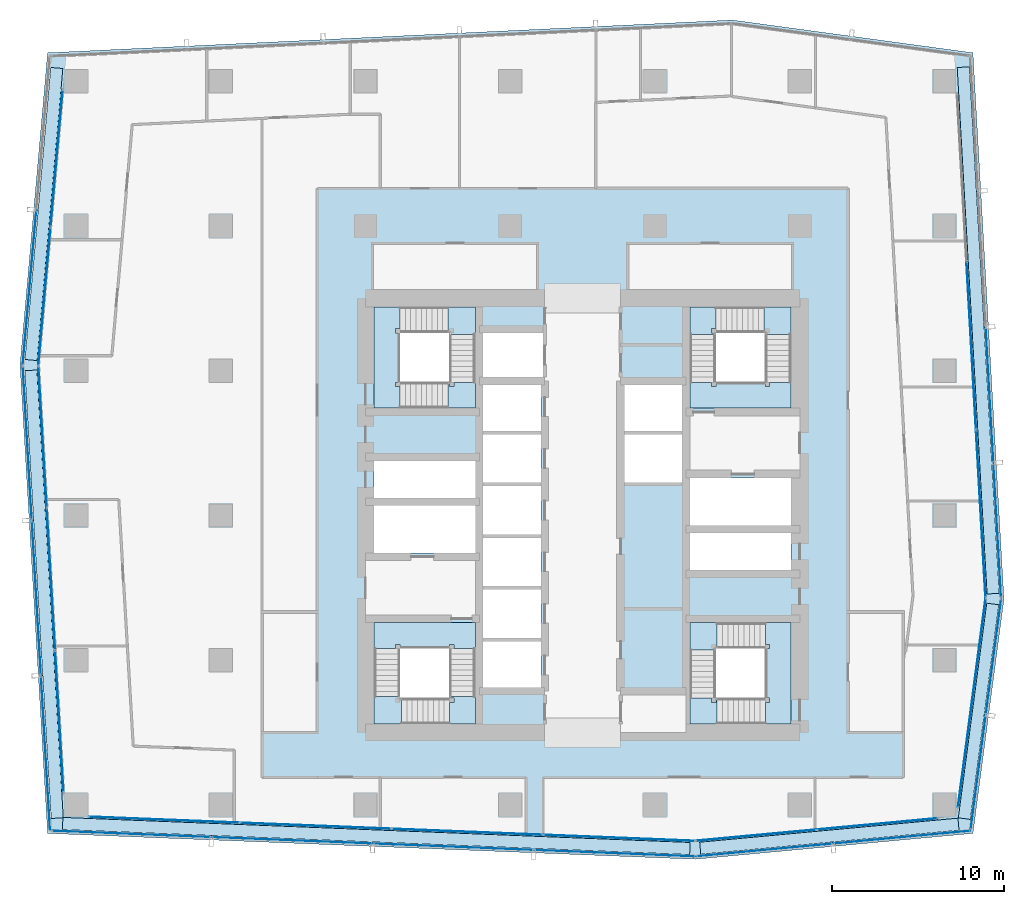
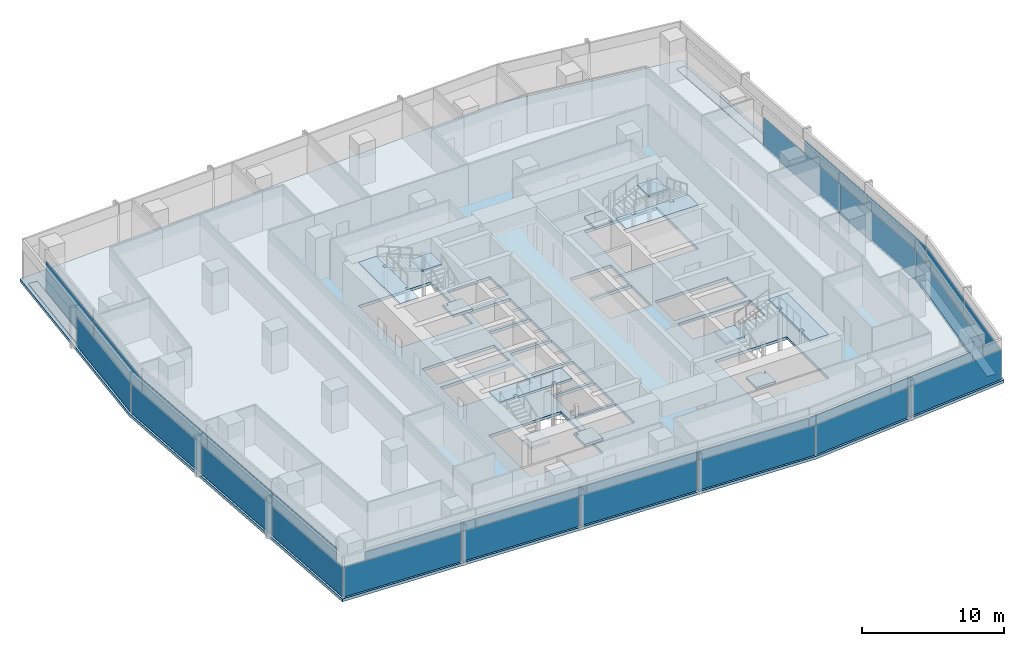
# One storey, part 26 of 38: 34 plates, 13 slabs, 16 elements without a shape of their own.
"""IFC4 building model written with IfcOpenShell, lengths in metres."""

from ifc_helpers import new_model, si_unit, direction, frame, origin, origin_2d, place, context, subcontext, project, spatial, polyline, rectangle, outline, extrude, material, layer, layer_set, type_object, element, aggregate, save


model = new_model("IFC4")

# Units and contexts
model_context = context("Model", 3, precision=1e-05, world=origin(), true_north=direction((0.0, 1.0)))
body_context = subcontext(model_context, "Body", "Model", "MODEL_VIEW")
ifc_project = project(units=[si_unit("LENGTHUNIT", "METRE"), si_unit("AREAUNIT", "SQUARE_METRE"), si_unit("VOLUMEUNIT", "CUBIC_METRE"), si_unit("PLANEANGLEUNIT", "RADIAN"), si_unit("MASSUNIT", "GRAM", prefix="KILO")], contexts=[model_context])

# Site, building, storey
site_placement = place(None, origin())
site = spatial("IfcSite", under=ifc_project, at=site_placement, CompositionType="ELEMENT")
building_placement = place(site_placement, origin())
building = spatial("IfcBuilding", under=site, at=building_placement, Name="Rekha Terrace Tower", CompositionType="ELEMENT")
storey_placement = place(building_placement, frame((0.0, 0.0, 202.699951171875)))
storey = spatial("IfcBuildingStorey", under=building, at=storey_placement, Name="L51", CompositionType="ELEMENT", Elevation=202.699951171875)

# Curtain wall, plates
ifc_material_1 = material(Name="Aluminium framing", Category="aluminium")
curtain_wall_type_1 = type_object("IfcCurtainWallType", Name="CW1 double skin inner glazing", PredefinedType="USERDEFINED", material=ifc_material_1)
curtain_wall_1_placement = place(storey_placement, origin())
curtain_wall_1 = element("IfcCurtainWall", 1, at=curtain_wall_1_placement, inside=storey, type_object=curtain_wall_type_1, Name="CW1 double skin inner glazing", ObjectType="DOUBLE SKIN INNER GLAZING", PredefinedType="USERDEFINED")
ifc_material_2 = material(Name="Double-glazed low-e unit 32", Category="glass")
ifc_layer_1 = layer(ifc_material_2, 0.031982421875)
ifc_layer_set_1 = layer_set([ifc_layer_1], Name="Double-glazed low-e unit 32")
plate_type_1 = type_object("IfcPlateType", Name="CW1 jumbo vision panel, double-glazed low-e unit 32", PredefinedType="CURTAIN_PANEL", material=ifc_layer_set_1)
plate_1_placement = place(storey_placement, frame((13.51318359375, 15.94091796875, 0.0), z_axis=(0.0, 0.0, 1.0), x_axis=(0.999204775798, -0.039872497061, 0.0)))
plate_1 = element("IfcPlate", 2, at=plate_1_placement, type_object=plate_type_1, Name="CW1 panel 1.1", PredefinedType="CURTAIN_PANEL", context=body_context, shape_type="SweptSolid", body=[
    extrude(rectangle(XDim=8.7138671875, YDim=0.031982421875, at=origin_2d()), origin(), (0.0, 0.0, 1.0), 2.60009765625),
])
plate_2_placement = place(storey_placement, frame((22.301025390625, 15.59033203125, 0.0), z_axis=(0.0, 0.0, 1.0), x_axis=(0.999204775798, -0.039872497061, 0.0)))
plate_2 = element("IfcPlate", 3, at=plate_2_placement, type_object=plate_type_1, Name="CW1 panel 2.1", PredefinedType="CURTAIN_PANEL", context=body_context, shape_type="SweptSolid", body=[
    extrude(rectangle(XDim=8.746337890625, YDim=0.031982421875, at=origin_2d()), origin(), (0.0, 0.0, 1.0), 2.60009765625),
])
plate_3_placement = place(storey_placement, frame((31.10546875, 15.239013671875, 0.0), z_axis=(0.0, 0.0, 1.0), x_axis=(0.999204775798, -0.039872497061, 0.0)))
plate_3 = element("IfcPlate", 4, at=plate_3_placement, type_object=plate_type_1, Name="CW1 panel 3.1", PredefinedType="CURTAIN_PANEL", context=body_context, shape_type="SweptSolid", body=[
    extrude(rectangle(XDim=8.746337890625, YDim=0.031982421875, at=origin_2d()), origin(), (0.0, 0.0, 1.0), 2.60009765625),
])
plate_4_placement = place(storey_placement, frame((39.926025390625, 14.886962890625, 0.0), z_axis=(0.0, 0.0, 1.0), x_axis=(0.999204775798, -0.039872497061, 0.0)))
plate_4 = element("IfcPlate", 5, at=plate_4_placement, type_object=plate_type_1, Name="CW1 panel 4.1", PredefinedType="CURTAIN_PANEL", context=body_context, shape_type="SweptSolid", body=[
    extrude(rectangle(XDim=8.77880859375, YDim=0.031982421875, at=origin_2d()), origin(), (0.0, 0.0, 1.0), 2.60009765625),
])
aggregate(curtain_wall_1, [plate_1, plate_2, plate_3, plate_4])

curtain_wall_2_placement = place(storey_placement, origin())
curtain_wall_2 = element("IfcCurtainWall", 6, at=curtain_wall_2_placement, inside=storey, type_object=curtain_wall_type_1, Name="CW1 double skin inner glazing", ObjectType="DOUBLE SKIN INNER GLAZING", PredefinedType="USERDEFINED")
plate_5_placement = place(storey_placement, frame((47.863037109375, 15.042724609375, 0.0), z_axis=(0.0, 0.0, 1.0), x_axis=(0.995693258742, 0.092708869564, 0.0)))
plate_5 = element("IfcPlate", 7, at=plate_5_placement, type_object=plate_type_1, Name="CW1 panel 1.1", PredefinedType="CURTAIN_PANEL", context=body_context, shape_type="SweptSolid", body=[
    extrude(rectangle(XDim=7.003173828125, YDim=0.031982421875, at=origin_2d()), origin(), (0.0, 0.0, 1.0), 2.60009765625),
])
plate_6_placement = place(storey_placement, frame((54.90087890625, 15.697998046875, 0.0), z_axis=(0.0, 0.0, 1.0), x_axis=(0.995693258742, 0.092708869564, 0.0)))
plate_6 = element("IfcPlate", 8, at=plate_6_placement, type_object=plate_type_1, Name="CW1 panel 2.1", PredefinedType="CURTAIN_PANEL", context=body_context, shape_type="SweptSolid", body=[
    extrude(rectangle(XDim=7.003173828125, YDim=0.031982421875, at=origin_2d()), origin(), (0.0, 0.0, 1.0), 2.60009765625),
])
aggregate(curtain_wall_2, [plate_5, plate_6])

# Curtain wall, plate
curtain_wall_3_placement = place(storey_placement, origin())
curtain_wall_3 = element("IfcCurtainWall", 9, at=curtain_wall_3_placement, inside=storey, type_object=curtain_wall_type_1, Name="CW1 double skin inner glazing", ObjectType="DOUBLE SKIN INNER GLAZING", PredefinedType="USERDEFINED")
plate_7_placement = place(storey_placement, frame((60.38330078125, 22.718505859375, 0.0), z_axis=(0.0, 0.0, 1.0), x_axis=(0.131303603093, 0.991342203185, 0.0)))
plate_7 = element("IfcPlate", 10, at=plate_7_placement, type_object=plate_type_1, Name="CW1 panel 1.1", PredefinedType="CURTAIN_PANEL", context=body_context, shape_type="SweptSolid", body=[
    extrude(rectangle(XDim=12.228759765625, YDim=0.031982421875, at=origin_2d()), origin(), (0.0, 0.0, 1.0), 2.60009765625),
])
aggregate(curtain_wall_3, [plate_7])

# Curtain wall, plates
curtain_wall_4_placement = place(storey_placement, origin())
curtain_wall_4 = element("IfcCurtainWall", 11, at=curtain_wall_4_placement, inside=storey, type_object=curtain_wall_type_1, Name="CW1 double skin inner glazing", ObjectType="DOUBLE SKIN INNER GLAZING", PredefinedType="USERDEFINED")
plate_8_placement = place(storey_placement, frame((60.90771484375, 33.68408203125, 0.0), z_axis=(0.0, 0.0, 1.0), x_axis=(-0.05667319486, 0.998392782919, 0.0)))
plate_8 = element("IfcPlate", 12, at=plate_8_placement, type_object=plate_type_1, Name="CW1 panel 1.1", PredefinedType="CURTAIN_PANEL", context=body_context, shape_type="SweptSolid", body=[
    extrude(rectangle(XDim=9.694091796875, YDim=0.031982421875, at=origin_2d()), origin(), (0.0, 0.0, 1.0), 2.60009765625),
])
plate_9_placement = place(storey_placement, frame((60.353759765625, 43.44384765625, 0.0), z_axis=(0.0, 0.0, 1.0), x_axis=(-0.05667319486, 0.998392782919, 0.0)))
plate_9 = element("IfcPlate", 13, at=plate_9_placement, type_object=plate_type_1, Name="CW1 panel 2.1", PredefinedType="CURTAIN_PANEL", context=body_context, shape_type="SweptSolid", body=[
    extrude(rectangle(XDim=9.7265625, YDim=0.031982421875, at=origin_2d()), origin(), (0.0, 0.0, 1.0), 2.60009765625),
])
aggregate(curtain_wall_4, [plate_8, plate_9])

curtain_wall_5_placement = place(storey_placement, origin())
curtain_wall_5 = element("IfcCurtainWall", 14, at=curtain_wall_5_placement, inside=storey, type_object=curtain_wall_type_1, Name="CW1 double skin inner glazing", ObjectType="DOUBLE SKIN INNER GLAZING", PredefinedType="USERDEFINED")
plate_10_placement = place(storey_placement, frame((7.273193359375, 54.32421875, 0.0), z_axis=(0.0, 0.0, 1.0), x_axis=(-0.087957985523, -0.996124185422, 0.0)))
plate_10 = element("IfcPlate", 15, at=plate_10_placement, type_object=plate_type_1, Name="CW1 panel 1.1", PredefinedType="CURTAIN_PANEL", context=body_context, shape_type="SweptSolid", body=[
    extrude(rectangle(XDim=7.950927734375, YDim=0.031982421875, at=origin_2d()), origin(), (0.0, 0.0, 1.0), 2.60009765625),
])
plate_11_placement = place(storey_placement, frame((6.565185546875, 46.306884765625, 0.0), z_axis=(0.0, 0.0, 1.0), x_axis=(-0.087957985523, -0.996124185422, 0.0)))
plate_11 = element("IfcPlate", 16, at=plate_11_placement, type_object=plate_type_1, Name="CW1 panel 2.1", PredefinedType="CURTAIN_PANEL", context=body_context, shape_type="SweptSolid", body=[
    extrude(rectangle(XDim=8.01611328125, YDim=0.031982421875, at=origin_2d()), origin(), (0.0, 0.0, 1.0), 2.60009765625),
])
aggregate(curtain_wall_5, [plate_10, plate_11])

curtain_wall_6_placement = place(storey_placement, origin())
curtain_wall_6 = element("IfcCurtainWall", 17, at=curtain_wall_6_placement, inside=storey, type_object=curtain_wall_type_1, Name="CW1 double skin inner glazing", ObjectType="DOUBLE SKIN INNER GLAZING", PredefinedType="USERDEFINED")
plate_12_placement = place(storey_placement, frame((6.457275390625, 38.1611328125, 0.0), z_axis=(0.0, 0.0, 1.0), x_axis=(0.058765082516, -0.998271839269, 0.0)))
plate_12 = element("IfcPlate", 18, at=plate_12_placement, type_object=plate_type_1, Name="CW1 panel 1.1", PredefinedType="CURTAIN_PANEL", context=body_context, shape_type="SweptSolid", body=[
    extrude(rectangle(XDim=8.19091796875, YDim=0.031982421875, at=origin_2d()), origin(), (0.0, 0.0, 1.0), 2.60009765625),
])
plate_13_placement = place(storey_placement, frame((6.943359375, 29.9033203125, 0.0), z_axis=(0.0, 0.0, 1.0), x_axis=(0.058765082516, -0.998271839269, 0.0)))
plate_13 = element("IfcPlate", 19, at=plate_13_placement, type_object=plate_type_1, Name="CW1 panel 2.1", PredefinedType="CURTAIN_PANEL", context=body_context, shape_type="SweptSolid", body=[
    extrude(rectangle(XDim=8.223388671875, YDim=0.031982421875, at=origin_2d()), origin(), (0.0, 0.0, 1.0), 2.60009765625),
])
plate_14_placement = place(storey_placement, frame((7.429443359375, 21.645263671875, 0.0), z_axis=(0.0, 0.0, 1.0), x_axis=(0.058765082516, -0.998271839269, 0.0)))
plate_14 = element("IfcPlate", 20, at=plate_14_placement, type_object=plate_type_1, Name="CW1 panel 3.1", PredefinedType="CURTAIN_PANEL", context=body_context, shape_type="SweptSolid", body=[
    extrude(rectangle(XDim=8.19091796875, YDim=0.031982421875, at=origin_2d()), origin(), (0.0, 0.0, 1.0), 2.60009765625),
])
aggregate(curtain_wall_6, [plate_12, plate_13, plate_14])

curtain_wall_type_2 = type_object("IfcCurtainWallType", Name="CW2 double skin outer glazing", PredefinedType="USERDEFINED", material=ifc_material_1)
curtain_wall_7_placement = place(storey_placement, origin())
curtain_wall_7 = element("IfcCurtainWall", 21, at=curtain_wall_7_placement, inside=storey, type_object=curtain_wall_type_2, Name="CW2 double skin outer glazing", ObjectType="DOUBLE SKIN OUTER GLAZING", PredefinedType="USERDEFINED")
ifc_material_3 = material(Name="Toughened single glazing 12", Category="glass")
ifc_layer_2 = layer(ifc_material_3, 0.011962890625)
ifc_layer_set_2 = layer_set([ifc_layer_2], Name="Toughened single glazing 12")
plate_type_2 = type_object("IfcPlateType", Name="CW2 jumbo vision panel, toughened single glazing 12", PredefinedType="CURTAIN_PANEL", material=ifc_layer_set_2)
plate_15_placement = place(storey_placement, frame((11.6005859375, 15.116455078125, 0.0), z_axis=(0.0, 0.0, 1.0), x_axis=(0.999204775799, -0.039872497044, 0.0)))
plate_15 = element("IfcPlate", 22, at=plate_15_placement, type_object=plate_type_2, Name="CW2 panel 1.1", PredefinedType="CURTAIN_PANEL", context=body_context, shape_type="SweptSolid", body=[
    extrude(rectangle(XDim=9.24609375, YDim=0.011962890625, at=origin_2d()), origin(), (0.0, 0.0, 1.0), 2.60009765625),
])
plate_16_placement = place(storey_placement, frame((20.939208984375, 14.743896484375, 0.0), z_axis=(0.0, 0.0, 1.0), x_axis=(0.999204775799, -0.039872497044, 0.0)))
plate_16 = element("IfcPlate", 23, at=plate_16_placement, type_object=plate_type_2, Name="CW2 panel 2.1", PredefinedType="CURTAIN_PANEL", context=body_context, shape_type="SweptSolid", body=[
    extrude(rectangle(XDim=9.2861328125, YDim=0.011962890625, at=origin_2d()), origin(), (0.0, 0.0, 1.0), 2.60009765625),
])
plate_17_placement = place(storey_placement, frame((30.2978515625, 14.370361328125, 0.0), z_axis=(0.0, 0.0, 1.0), x_axis=(0.999204775799, -0.039872497044, 0.0)))
plate_17 = element("IfcPlate", 24, at=plate_17_placement, type_object=plate_type_2, Name="CW2 panel 3.1", PredefinedType="CURTAIN_PANEL", context=body_context, shape_type="SweptSolid", body=[
    extrude(rectangle(XDim=9.2861328125, YDim=0.011962890625, at=origin_2d()), origin(), (0.0, 0.0, 1.0), 2.60009765625),
])
plate_18_placement = place(storey_placement, frame((39.676513671875, 13.996337890625, 0.0), z_axis=(0.0, 0.0, 1.0), x_axis=(0.999204775799, -0.039872497044, 0.0)))
plate_18 = element("IfcPlate", 25, at=plate_18_placement, type_object=plate_type_2, Name="CW2 panel 4.1", PredefinedType="CURTAIN_PANEL", context=body_context, shape_type="SweptSolid", body=[
    extrude(rectangle(XDim=9.326171875, YDim=0.011962890625, at=origin_2d()), origin(), (0.0, 0.0, 1.0), 2.60009765625),
])
aggregate(curtain_wall_7, [plate_15, plate_16, plate_17, plate_18])

curtain_wall_8_placement = place(storey_placement, origin())
curtain_wall_8 = element("IfcCurtainWall", 26, at=curtain_wall_8_placement, inside=storey, type_object=curtain_wall_type_2, Name="CW2 double skin outer glazing", ObjectType="DOUBLE SKIN OUTER GLAZING", PredefinedType="USERDEFINED")
plate_19_placement = place(storey_placement, frame((48.348876953125, 14.183837890625, 0.0), z_axis=(0.0, 0.0, 1.0), x_axis=(0.995693258747, 0.092708869512, 0.0)))
plate_19 = element("IfcPlate", 27, at=plate_19_placement, type_object=plate_type_2, Name="CW2 panel 1.1", PredefinedType="CURTAIN_PANEL", context=body_context, shape_type="SweptSolid", body=[
    extrude(rectangle(XDim=7.900634765625, YDim=0.011962890625, at=origin_2d()), origin(), (0.0, 0.0, 1.0), 2.60009765625),
])
plate_20_placement = place(storey_placement, frame((56.3349609375, 14.927490234375, 0.0), z_axis=(0.0, 0.0, 1.0), x_axis=(0.995693258747, 0.092708869512, 0.0)))
plate_20 = element("IfcPlate", 28, at=plate_20_placement, type_object=plate_type_2, Name="CW2 panel 2.1", PredefinedType="CURTAIN_PANEL", context=body_context, shape_type="SweptSolid", body=[
    extrude(rectangle(XDim=7.980712890625, YDim=0.011962890625, at=origin_2d()), origin(), (0.0, 0.0, 1.0), 2.60009765625),
])
aggregate(curtain_wall_8, [plate_19, plate_20])

curtain_wall_9_placement = place(storey_placement, origin())
curtain_wall_9 = element("IfcCurtainWall", 29, at=curtain_wall_9_placement, inside=storey, type_object=curtain_wall_type_2, Name="CW2 double skin outer glazing", ObjectType="DOUBLE SKIN OUTER GLAZING", PredefinedType="USERDEFINED")
plate_21_placement = place(storey_placement, frame((60.756103515625, 18.679443359375, 0.0), z_axis=(0.0, 0.0, 1.0), x_axis=(0.131303603075, 0.991342203187, 0.0)))
plate_21 = element("IfcPlate", 30, at=plate_21_placement, type_object=plate_type_2, Name="CW2 panel 1.1", PredefinedType="CURTAIN_PANEL", context=body_context, shape_type="SweptSolid", body=[
    extrude(rectangle(XDim=6.6630859375, YDim=0.011962890625, at=origin_2d()), origin(), (0.0, 0.0, 1.0), 2.60009765625),
])
plate_22_placement = place(storey_placement, frame((61.646728515625, 25.40380859375, 0.0), z_axis=(0.0, 0.0, 1.0), x_axis=(0.131303603075, 0.991342203187, 0.0)))
plate_22 = element("IfcPlate", 31, at=plate_22_placement, type_object=plate_type_2, Name="CW2 panel 2.1", PredefinedType="CURTAIN_PANEL", context=body_context, shape_type="SweptSolid", body=[
    extrude(rectangle(XDim=6.742919921875, YDim=0.011962890625, at=origin_2d()), origin(), (0.0, 0.0, 1.0), 2.60009765625),
])
aggregate(curtain_wall_9, [plate_21, plate_22])

curtain_wall_10_placement = place(storey_placement, origin())
curtain_wall_10 = element("IfcCurtainWall", 32, at=curtain_wall_10_placement, inside=storey, type_object=curtain_wall_type_2, Name="CW2 double skin outer glazing", ObjectType="DOUBLE SKIN OUTER GLAZING", PredefinedType="USERDEFINED")
plate_23_placement = place(storey_placement, frame((61.8642578125, 32.71142578125, 0.0), z_axis=(0.0, 0.0, 1.0), x_axis=(-0.05667319486, 0.998392782919, 0.0)))
plate_23 = element("IfcPlate", 33, at=plate_23_placement, type_object=plate_type_2, Name="CW2 panel 1.1", PredefinedType="CURTAIN_PANEL", context=body_context, shape_type="SweptSolid", body=[
    extrude(rectangle(XDim=7.783447265625, YDim=0.011962890625, at=origin_2d()), origin(), (0.0, 0.0, 1.0), 2.60009765625),
])
plate_24_placement = place(storey_placement, frame((61.41748046875, 40.582275390625, 0.0), z_axis=(0.0, 0.0, 1.0), x_axis=(-0.05667319486, 0.998392782919, 0.0)))
plate_24 = element("IfcPlate", 34, at=plate_24_placement, type_object=plate_type_2, Name="CW2 panel 2.1", PredefinedType="CURTAIN_PANEL", context=body_context, shape_type="SweptSolid", body=[
    extrude(rectangle(XDim=7.823486328125, YDim=0.011962890625, at=origin_2d()), origin(), (0.0, 0.0, 1.0), 2.60009765625),
])
aggregate(curtain_wall_10, [plate_23, plate_24])

# Curtain wall, plate
curtain_wall_11_placement = place(storey_placement, origin())
curtain_wall_11 = element("IfcCurtainWall", 35, at=curtain_wall_11_placement, inside=storey, type_object=curtain_wall_type_2, Name="CW2 double skin outer glazing", ObjectType="DOUBLE SKIN OUTER GLAZING", PredefinedType="USERDEFINED")
plate_25_placement = place(storey_placement, frame((5.705322265625, 46.800048828125, 0.0), z_axis=(0.0, 0.0, 1.0), x_axis=(-0.087957985453, -0.996124185428, 0.0)))
plate_25 = element("IfcPlate", 36, at=plate_25_placement, type_object=plate_type_2, Name="CW2 panel 2.1", PredefinedType="CURTAIN_PANEL", context=body_context, shape_type="SweptSolid", body=[
    extrude(rectangle(XDim=8.9794921875, YDim=0.011962890625, at=origin_2d()), origin(), (0.0, 0.0, 1.0), 2.60009765625),
])
aggregate(curtain_wall_11, [plate_25])

# Curtain wall, plates
curtain_wall_12_placement = place(storey_placement, origin())
curtain_wall_12 = element("IfcCurtainWall", 37, at=curtain_wall_12_placement, inside=storey, type_object=curtain_wall_type_2, Name="CW2 double skin outer glazing", ObjectType="DOUBLE SKIN OUTER GLAZING", PredefinedType="USERDEFINED")
plate_26_placement = place(storey_placement, frame((5.57666015625, 37.8037109375, 0.0), z_axis=(0.0, 0.0, 1.0), x_axis=(0.058765082499, -0.99827183927, 0.0)))
plate_26 = element("IfcPlate", 38, at=plate_26_placement, type_object=plate_type_2, Name="CW2 panel 1.1", PredefinedType="CURTAIN_PANEL", context=body_context, shape_type="SweptSolid", body=[
    extrude(rectangle(XDim=8.903564453125, YDim=0.011962890625, at=origin_2d()), origin(), (0.0, 0.0, 1.0), 2.60009765625),
])
plate_27_placement = place(storey_placement, frame((6.105712890625, 28.81591796875, 0.0), z_axis=(0.0, 0.0, 1.0), x_axis=(0.058765082499, -0.99827183927, 0.0)))
plate_27 = element("IfcPlate", 39, at=plate_27_placement, type_object=plate_type_2, Name="CW2 panel 2.1", PredefinedType="CURTAIN_PANEL", context=body_context, shape_type="SweptSolid", body=[
    extrude(rectangle(XDim=8.943359375, YDim=0.011962890625, at=origin_2d()), origin(), (0.0, 0.0, 1.0), 2.60009765625),
])
plate_28_placement = place(storey_placement, frame((6.63720703125, 19.7880859375, 0.0), z_axis=(0.0, 0.0, 1.0), x_axis=(0.058765082499, -0.99827183927, 0.0)))
plate_28 = element("IfcPlate", 40, at=plate_28_placement, type_object=plate_type_2, Name="CW2 panel 3.1", PredefinedType="CURTAIN_PANEL", context=body_context, shape_type="SweptSolid", body=[
    extrude(rectangle(XDim=8.9833984375, YDim=0.011962890625, at=origin_2d()), origin(), (0.0, 0.0, 1.0), 2.60009765625),
])
aggregate(curtain_wall_12, [plate_26, plate_27, plate_28])

# Plates
ifc_material_4 = material(Name="Galvanised steel open grating", Category="steel")
ifc_layer_3 = layer(ifc_material_4, 0.050048828125)
ifc_layer_set_3 = layer_set([ifc_layer_3], Name="Galvanised steel open grating")
plate_type_3 = type_object("IfcPlateType", Name="GT1 cavity walkway grating 50", PredefinedType="USERDEFINED", material=ifc_layer_set_3)
plate_29_placement = place(storey_placement, frame((25.8251953125, 14.999267578125, 0.0), z_axis=(0.0, 0.0, 1.0), x_axis=(0.999204775799, -0.039872497044, 0.0)))
element("IfcPlate", 41, at=plate_29_placement, inside=storey, type_object=plate_type_3, Name="Cavity walkway grating", ObjectType="CAVITY WALKWAY GRATING", PredefinedType="USERDEFINED", context=body_context, shape_type="SweptSolid", body=[
    extrude(rectangle(XDim=36.4267578125, YDim=0.705078125, at=origin_2d()), origin(), (0.0, 0.0, 1.0), 0.050048828125),
])
plate_30_placement = place(storey_placement, frame((52.116455078125, 14.98681640625, 0.0), z_axis=(0.0, 0.0, 1.0), x_axis=(0.995693258745, 0.092708869529, 0.0)))
element("IfcPlate", 42, at=plate_30_placement, inside=storey, type_object=plate_type_3, Name="Cavity walkway grating", ObjectType="CAVITY WALKWAY GRATING", PredefinedType="USERDEFINED", context=body_context, shape_type="SweptSolid", body=[
    extrude(rectangle(XDim=15.052734375, YDim=0.705078125, at=origin_2d()), origin(), (0.0, 0.0, 1.0), 0.050048828125),
])
plate_31_placement = place(storey_placement, frame((60.7734375, 22.237548828125, 0.0), z_axis=(0.0, 0.0, 1.0), x_axis=(0.131303603075, 0.991342203187, 0.0)))
element("IfcPlate", 43, at=plate_31_placement, inside=storey, type_object=plate_type_3, Name="Cavity walkway grating", ObjectType="CAVITY WALKWAY GRATING", PredefinedType="USERDEFINED", context=body_context, shape_type="SweptSolid", body=[
    extrude(rectangle(XDim=12.564697265625, YDim=0.705078125, at=origin_2d()), origin(), (0.0, 0.0, 1.0), 0.050048828125),
])
plate_32_placement = place(storey_placement, frame((60.753662109375, 44.338134765625, 0.0), z_axis=(0.0, 0.0, 1.0), x_axis=(-0.05667319486, 0.998392782919, 0.0)))
element("IfcPlate", 44, at=plate_32_placement, inside=storey, type_object=plate_type_3, Name="Cavity walkway grating", ObjectType="CAVITY WALKWAY GRATING", PredefinedType="USERDEFINED", context=body_context, shape_type="SweptSolid", body=[
    extrude(rectangle(XDim=30.6005859375, YDim=0.705078125, at=origin_2d()), origin(), (0.0, 0.0, 1.0), 0.050048828125),
])
plate_33_placement = place(storey_placement, frame((6.5361328125, 51.093505859375, 0.0), z_axis=(0.0, 0.0, 1.0), x_axis=(-0.087957985471, -0.996124185427, 0.0)))
element("IfcPlate", 45, at=plate_33_placement, inside=storey, type_object=plate_type_3, Name="Cavity walkway grating", ObjectType="CAVITY WALKWAY GRATING", PredefinedType="USERDEFINED", context=body_context, shape_type="SweptSolid", body=[
    extrude(rectangle(XDim=17.013427734375, YDim=0.705078125, at=origin_2d()), origin(), (0.0, 0.0, 1.0), 0.050048828125),
])
plate_34_placement = place(storey_placement, frame((6.5439453125, 29.029296875, 0.0), z_axis=(0.0, 0.0, 1.0), x_axis=(0.058765082516, -0.998271839269, 0.0)))
element("IfcPlate", 46, at=plate_34_placement, inside=storey, type_object=plate_type_3, Name="Cavity walkway grating", ObjectType="CAVITY WALKWAY GRATING", PredefinedType="USERDEFINED", context=body_context, shape_type="SweptSolid", body=[
    extrude(rectangle(XDim=26.029541015625, YDim=0.705078125, at=origin_2d()), origin(), (0.0, 0.0, 1.0), 0.050048828125),
])

# Stair, slabs
ifc_material_5 = material(Name="Concrete M40", Category="concrete")
stair_type = type_object("IfcStairType", Name="ST30 stair, 30 risers of 125, going 310, 1500 wide flights, 3 flights", PredefinedType="HALF_TURN_STAIR", material=ifc_material_5)
stair_1_placement = place(storey_placement, origin())
stair_1 = element("IfcStair", 47, at=stair_1_placement, inside=storey, type_object=stair_type, Name="Stair ST1 L51 to L52", PredefinedType="HALF_TURN_STAIR")
ifc_layer_4 = layer(ifc_material_5, 0.199951171875)
ifc_layer_set_4 = layer_set([ifc_layer_4], Name="Concrete M40")
slab_type_1 = type_object("IfcSlabType", Name="LD1 200 concrete stair landing", PredefinedType="LANDING", material=ifc_layer_set_4)
slab_1_placement = place(storey_placement, frame((0.0, 0.0, 1.050048828125)))
slab_1 = element("IfcSlab", 48, at=slab_1_placement, type_object=slab_type_1, Name="ST1 landing 1", PredefinedType="LANDING", context=body_context, shape_type="SweptSolid", body=[
    extrude(outline(polyline([(30.074951171875, 21.5), (31.574951171875, 21.5), (31.574951171875, 23.0849609375), (30.074951171875, 23.0849609375), (30.074951171875, 23.0), (30.324951171875, 23.0), (30.324951171875, 22.75), (30.074951171875, 22.75), (30.074951171875, 21.5)])), origin(), (0.0, 0.0, 1.0), 0.199951171875),
])
slab_2_placement = place(storey_placement, frame((0.0, 0.0, 2.300048828125)))
slab_2 = element("IfcSlab", 49, at=slab_2_placement, type_object=slab_type_1, Name="ST1 landing 2", PredefinedType="LANDING", context=body_context, shape_type="SweptSolid", body=[
    extrude(outline(polyline([(27.199951171875, 23.0849609375), (25.699951171875, 23.0849609375), (25.699951171875, 21.5), (27.284912109375, 21.5), (27.284912109375, 23.0), (27.199951171875, 23.0), (27.199951171875, 23.0849609375)])), origin(), (0.0, 0.0, 1.0), 0.199951171875),
])
slab_3_placement = place(storey_placement, frame((0.0, 0.0, 3.550048828125)))
slab_3 = element("IfcSlab", 50, at=slab_3_placement, type_object=slab_type_1, Name="ST1 landing 3", PredefinedType="LANDING", context=body_context, shape_type="SweptSolid", body=[
    extrude(outline(polyline([(31.574951171875, 25.875), (31.574951171875, 27.375), (25.699951171875, 27.375), (25.699951171875, 25.875), (26.949951171875, 25.875), (26.949951171875, 26.125), (27.199951171875, 26.125), (27.199951171875, 25.875), (30.074951171875, 25.875), (30.074951171875, 26.125), (30.324951171875, 26.125), (30.324951171875, 25.875), (31.574951171875, 25.875)])), origin(), (0.0, 0.0, 1.0), 0.199951171875),
])
aggregate(stair_1, [slab_1, slab_2, slab_3])

stair_2_placement = place(storey_placement, origin())
stair_2 = element("IfcStair", 51, at=stair_2_placement, inside=storey, type_object=stair_type, Name="Stair ST2 L51 to L52", PredefinedType="HALF_TURN_STAIR")
slab_4_placement = place(storey_placement, frame((0.0, 0.0, 1.050048828125)))
slab_4 = element("IfcSlab", 52, at=slab_4_placement, type_object=slab_type_1, Name="ST2 landing 1", PredefinedType="LANDING", context=body_context, shape_type="SweptSolid", body=[
    extrude(outline(polyline([(45.52490234375, 45.699951171875), (44.02490234375, 45.699951171875), (44.02490234375, 44.114990234375), (45.52490234375, 44.114990234375), (45.52490234375, 44.199951171875), (45.27490234375, 44.199951171875), (45.27490234375, 44.449951171875), (45.52490234375, 44.449951171875), (45.52490234375, 45.699951171875)])), origin(), (0.0, 0.0, 1.0), 0.199951171875),
])
slab_5_placement = place(storey_placement, frame((0.0, 0.0, 2.300048828125)))
slab_5 = element("IfcSlab", 53, at=slab_5_placement, type_object=slab_type_1, Name="ST2 landing 2", PredefinedType="LANDING", context=body_context, shape_type="SweptSolid", body=[
    extrude(outline(polyline([(48.39990234375, 44.114990234375), (49.89990234375, 44.114990234375), (49.89990234375, 45.699951171875), (48.31494140625, 45.699951171875), (48.31494140625, 44.199951171875), (48.39990234375, 44.199951171875), (48.39990234375, 44.114990234375)])), origin(), (0.0, 0.0, 1.0), 0.199951171875),
])
slab_6_placement = place(storey_placement, frame((0.0, 0.0, 3.550048828125)))
slab_6 = element("IfcSlab", 54, at=slab_6_placement, type_object=slab_type_1, Name="ST2 landing 3", PredefinedType="LANDING", context=body_context, shape_type="SweptSolid", body=[
    extrude(outline(polyline([(44.02490234375, 41.324951171875), (44.02490234375, 39.824951171875), (49.89990234375, 39.824951171875), (49.89990234375, 41.324951171875), (48.64990234375, 41.324951171875), (48.64990234375, 41.074951171875), (48.39990234375, 41.074951171875), (48.39990234375, 41.324951171875), (45.52490234375, 41.324951171875), (45.52490234375, 41.074951171875), (45.27490234375, 41.074951171875), (45.27490234375, 41.324951171875), (44.02490234375, 41.324951171875)])), origin(), (0.0, 0.0, 1.0), 0.199951171875),
])
aggregate(stair_2, [slab_4, slab_5, slab_6])

stair_3_placement = place(storey_placement, origin())
stair_3 = element("IfcStair", 55, at=stair_3_placement, inside=storey, type_object=stair_type, Name="Stair ST3 L51 to L52", PredefinedType="HALF_TURN_STAIR")
slab_7_placement = place(storey_placement, frame((0.0, 0.0, 1.050048828125)))
slab_7 = element("IfcSlab", 56, at=slab_7_placement, type_object=slab_type_1, Name="ST3 landing 1", PredefinedType="LANDING", context=body_context, shape_type="SweptSolid", body=[
    extrude(outline(polyline([(44.02490234375, 23.0), (44.02490234375, 21.5), (45.610107421875, 21.5), (45.610107421875, 23.0), (45.52490234375, 23.0), (45.52490234375, 22.75), (45.27490234375, 22.75), (45.27490234375, 23.0), (44.02490234375, 23.0)])), origin(), (0.0, 0.0, 1.0), 0.199951171875),
])
slab_8_placement = place(storey_placement, frame((0.0, 0.0, 2.300048828125)))
slab_8 = element("IfcSlab", 57, at=slab_8_placement, type_object=slab_type_1, Name="ST3 landing 2", PredefinedType="LANDING", context=body_context, shape_type="SweptSolid", body=[
    extrude(outline(polyline([(45.610107421875, 25.875), (45.610107421875, 27.375), (44.02490234375, 27.375), (44.02490234375, 25.7900390625), (45.52490234375, 25.7900390625), (45.52490234375, 25.875), (45.610107421875, 25.875)])), origin(), (0.0, 0.0, 1.0), 0.199951171875),
])
slab_9_placement = place(storey_placement, frame((0.0, 0.0, 3.550048828125)))
slab_9 = element("IfcSlab", 58, at=slab_9_placement, type_object=slab_type_1, Name="ST3 landing 3", PredefinedType="LANDING", context=body_context, shape_type="SweptSolid", body=[
    extrude(outline(polyline([(48.39990234375, 21.5), (49.89990234375, 21.5), (49.89990234375, 27.375), (48.39990234375, 27.375), (48.39990234375, 26.125), (48.64990234375, 26.125), (48.64990234375, 25.875), (48.39990234375, 25.875), (48.39990234375, 23.0), (48.64990234375, 23.0), (48.64990234375, 22.75), (48.39990234375, 22.75), (48.39990234375, 21.5)])), origin(), (0.0, 0.0, 1.0), 0.199951171875),
])
aggregate(stair_3, [slab_7, slab_8, slab_9])

stair_4_placement = place(storey_placement, origin())
stair_4 = element("IfcStair", 59, at=stair_4_placement, inside=storey, type_object=stair_type, Name="Stair ST4 L51 to L52", PredefinedType="HALF_TURN_STAIR")
slab_10_placement = place(storey_placement, frame((0.0, 0.0, 1.050048828125)))
slab_10 = element("IfcSlab", 60, at=slab_10_placement, type_object=slab_type_1, Name="ST4 landing 1", PredefinedType="LANDING", context=body_context, shape_type="SweptSolid", body=[
    extrude(outline(polyline([(31.574951171875, 41.324951171875), (31.574951171875, 39.824951171875), (29.989990234375, 39.824951171875), (29.989990234375, 41.324951171875), (30.074951171875, 41.324951171875), (30.074951171875, 41.074951171875), (30.324951171875, 41.074951171875), (30.324951171875, 41.324951171875), (31.574951171875, 41.324951171875)])), origin(), (0.0, 0.0, 1.0), 0.199951171875),
])
slab_11_placement = place(storey_placement, frame((0.0, 0.0, 2.300048828125)))
slab_11 = element("IfcSlab", 61, at=slab_11_placement, type_object=slab_type_1, Name="ST4 landing 2", PredefinedType="LANDING", context=body_context, shape_type="SweptSolid", body=[
    extrude(outline(polyline([(29.989990234375, 44.199951171875), (29.989990234375, 45.699951171875), (31.574951171875, 45.699951171875), (31.574951171875, 44.114990234375), (30.074951171875, 44.114990234375), (30.074951171875, 44.199951171875), (29.989990234375, 44.199951171875)])), origin(), (0.0, 0.0, 1.0), 0.199951171875),
])
slab_12_placement = place(storey_placement, frame((0.0, 0.0, 3.550048828125)))
slab_12 = element("IfcSlab", 62, at=slab_12_placement, type_object=slab_type_1, Name="ST4 landing 3", PredefinedType="LANDING", context=body_context, shape_type="SweptSolid", body=[
    extrude(outline(polyline([(27.199951171875, 39.824951171875), (25.699951171875, 39.824951171875), (25.699951171875, 45.699951171875), (27.199951171875, 45.699951171875), (27.199951171875, 44.449951171875), (26.949951171875, 44.449951171875), (26.949951171875, 44.199951171875), (27.199951171875, 44.199951171875), (27.199951171875, 41.324951171875), (26.949951171875, 41.324951171875), (26.949951171875, 41.074951171875), (27.199951171875, 41.074951171875), (27.199951171875, 39.824951171875)])), origin(), (0.0, 0.0, 1.0), 0.199951171875),
])
aggregate(stair_4, [slab_10, slab_11, slab_12])

# Slab
ifc_material_6 = material(Name="Concrete M50", Category="concrete")
ifc_layer_5 = layer(ifc_material_6, 0.25)
ifc_layer_set_5 = layer_set([ifc_layer_5], Name="Concrete M50")
slab_type_2 = type_object("IfcSlabType", Name="SL4 250 post-tensioned flat plate", PredefinedType="FLOOR", material=ifc_layer_set_5)
slab_13_placement = place(storey_placement, frame((0.0, 0.0, -0.25)))
element("IfcSlab", 63, at=slab_13_placement, inside=storey, type_object=slab_type_2, Name="Post-tensioned flat plate L51", PredefinedType="FLOOR", context=body_context, shape_type="SweptSolid", body=[
    extrude(outline(polyline([(5.14990234375, 42.330078125), (6.75, 15.14990234375), (44.340087890625, 13.64990234375), (60.449951171875, 15.14990234375), (62.25, 28.739990234375), (60.449951171875, 60.449951171875), (46.488037109375, 62.35009765625), (6.75, 60.449951171875), (5.14990234375, 42.330078125)]), holes=[polyline([(31.574951171875, 27.375), (31.574951171875, 21.5), (25.699951171875, 21.5), (25.699951171875, 27.375), (31.574951171875, 27.375)]), polyline([(35.375, 26.300048828125), (35.375, 23.625), (32.02490234375, 23.625), (32.02490234375, 26.300048828125), (35.375, 26.300048828125)]), polyline([(35.375, 29.300048828125), (35.375, 26.5), (32.02490234375, 26.5), (32.02490234375, 29.300048828125), (35.375, 29.300048828125)]), polyline([(35.375, 32.300048828125), (35.375, 29.5), (32.02490234375, 29.5), (32.02490234375, 32.300048828125), (35.375, 32.300048828125)]), polyline([(31.574951171875, 34.175048828125), (31.574951171875, 31.425048828125), (25.699951171875, 31.425048828125), (25.699951171875, 34.175048828125), (31.574951171875, 34.175048828125)]), polyline([(35.375, 35.300048828125), (35.375, 32.5), (32.02490234375, 32.5), (32.02490234375, 35.300048828125), (35.375, 35.300048828125)]), polyline([(31.574951171875, 36.77490234375), (31.574951171875, 34.625), (25.699951171875, 34.625), (25.699951171875, 36.77490234375), (31.574951171875, 36.77490234375)]), polyline([(35.375, 38.300048828125), (35.375, 35.5), (32.02490234375, 35.5), (32.02490234375, 38.300048828125), (35.375, 38.300048828125)]), polyline([(31.574951171875, 45.699951171875), (31.574951171875, 39.824951171875), (25.699951171875, 39.824951171875), (25.699951171875, 45.699951171875), (31.574951171875, 45.699951171875)]), polyline([(49.89990234375, 27.375), (49.89990234375, 21.5), (44.02490234375, 21.5), (44.02490234375, 27.375), (49.89990234375, 27.375)]), polyline([(49.89990234375, 32.574951171875), (49.89990234375, 30.425048828125), (44.02490234375, 30.425048828125), (44.02490234375, 32.574951171875), (49.89990234375, 32.574951171875)]), polyline([(49.89990234375, 35.77490234375), (49.89990234375, 33.02490234375), (44.02490234375, 33.02490234375), (44.02490234375, 35.77490234375), (49.89990234375, 35.77490234375)]), polyline([(43.574951171875, 38.300048828125), (43.574951171875, 35.5), (40.22509765625, 35.5), (40.22509765625, 38.300048828125), (43.574951171875, 38.300048828125)]), polyline([(35.375, 41.175048828125), (35.375, 38.5), (32.02490234375, 38.5), (32.02490234375, 41.175048828125), (35.375, 41.175048828125)]), polyline([(43.574951171875, 41.175048828125), (43.574951171875, 38.5), (40.22509765625, 38.5), (40.22509765625, 41.175048828125), (43.574951171875, 41.175048828125)]), polyline([(49.89990234375, 39.824951171875), (44.02490234375, 39.824951171875), (44.02490234375, 45.699951171875), (49.89990234375, 45.699951171875), (49.89990234375, 39.824951171875)]), polyline([(35.5, 41.625), (32.02490234375, 41.625), (32.02490234375, 44.175048828125), (35.5, 44.175048828125), (35.5, 41.625)])]), origin(), (0.0, 0.0, 1.0), 0.25),
])

save(model, "model.ifc")
